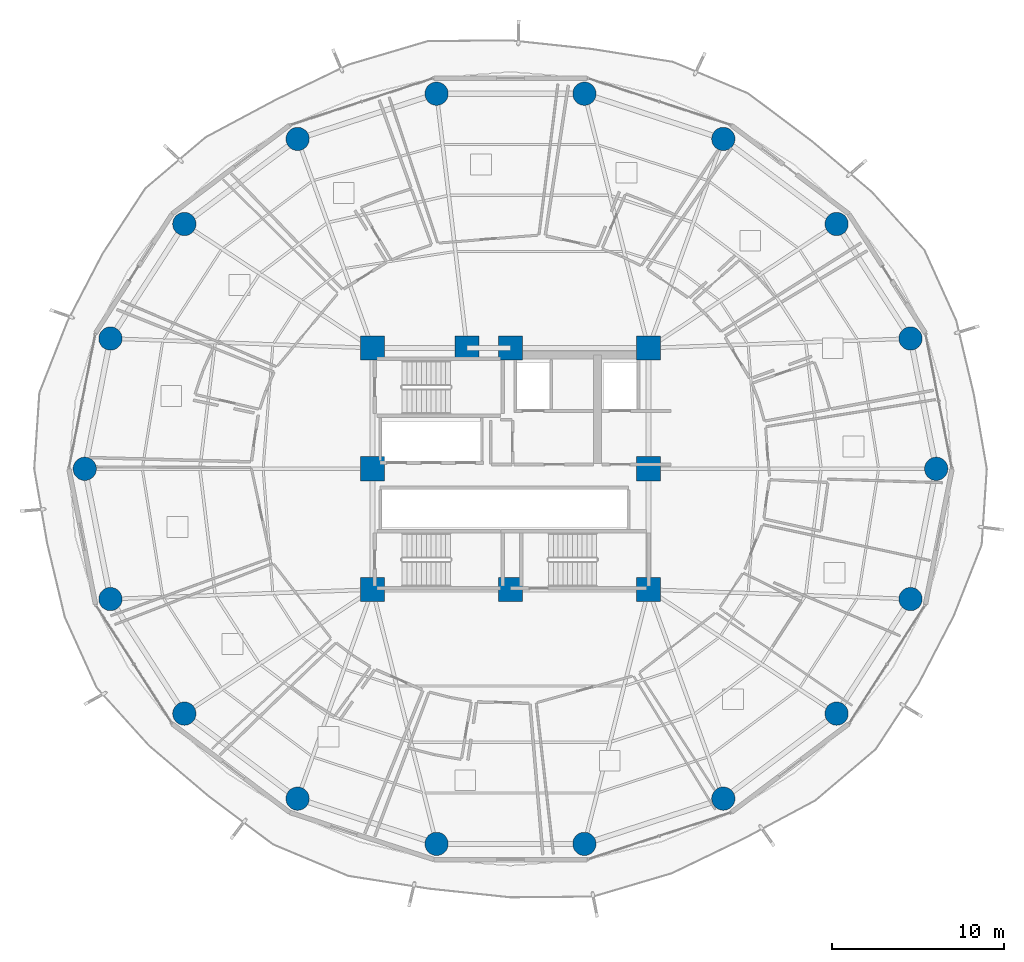
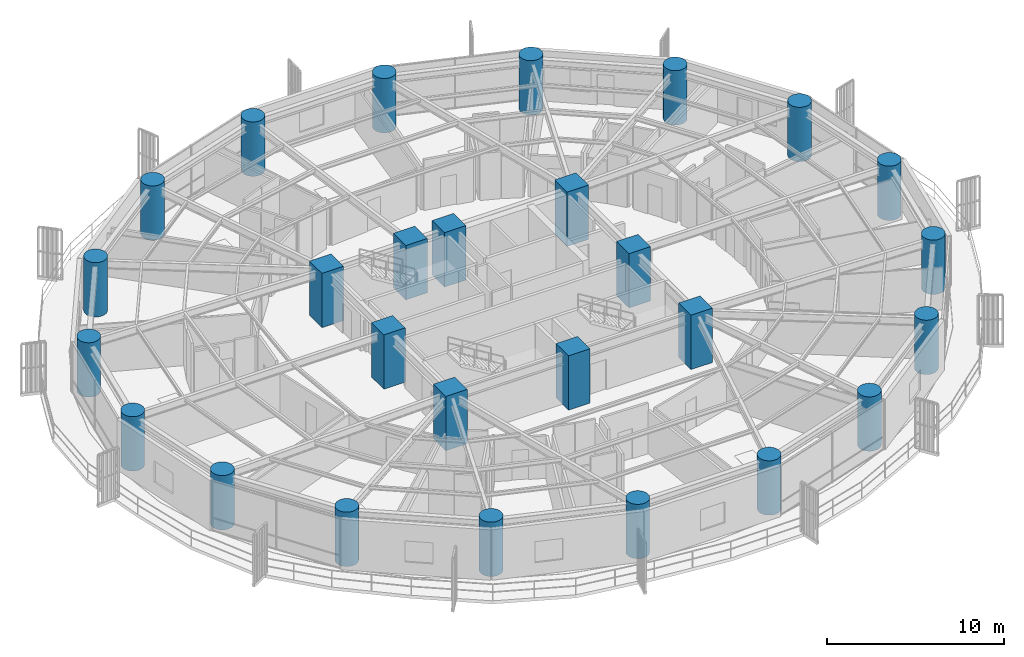
# One storey, part 1 of 33: 27 columns.
"""IFC4 building model written with IfcOpenShell, lengths in metres."""

from ifc_helpers import new_model, si_unit, direction, frame, origin, origin_2d, place, context, subcontext, project, spatial, rectangle, circle, extrude, material, material_profile, profile_set, type_object, element, save


model = new_model("IFC4")

# Units and contexts
model_context = context("Model", 3, precision=1e-05, world=origin(), true_north=direction((0.0, 1.0)))
body_context = subcontext(model_context, "Body", "Model", "MODEL_VIEW")
ifc_project = project(units=[si_unit("LENGTHUNIT", "METRE"), si_unit("AREAUNIT", "SQUARE_METRE"), si_unit("VOLUMEUNIT", "CUBIC_METRE"), si_unit("PLANEANGLEUNIT", "RADIAN"), si_unit("MASSUNIT", "GRAM", prefix="KILO")], contexts=[model_context])

# Site, building, storey
site_placement = place(None, origin())
site = spatial("IfcSite", under=ifc_project, at=site_placement, CompositionType="ELEMENT")
building_placement = place(site_placement, origin())
building = spatial("IfcBuilding", under=site, at=building_placement, Name="Kelanora Arch Commons", CompositionType="ELEMENT")
storey_placement = place(building_placement, frame((0.0, 0.0, 80.10009765625)))
storey = spatial("IfcBuildingStorey", under=building, at=storey_placement, Name="L20", CompositionType="ELEMENT", Elevation=80.10009765625)

# Columns
ifc_material = material(Name="Concrete C60/75", Category="concrete")
ifc_material_profile_1 = material_profile(ifc_material, circle(Radius=0.675048828125, at=origin_2d()), Name="RCC1350")
ifc_profile_set_1 = profile_set([ifc_material_profile_1], Name="Concrete C60/75")
column_type_1 = type_object("IfcColumnType", Name="COL-PERIM-Z2", PredefinedType="COLUMN", material=ifc_profile_set_1)
for number, where, z_axis, x_axis, name in (
    (1, (98.679931640625, 58.0, 0.0), (0.0, 0.0, 1.0), (1.0, 0.0, 0.0), "Perimeter Ring Column CP-00 L20"),
    (2, (97.191650390625, 65.5517578125, 0.0), (0.0, 0.0, 1.0), (1.0, 0.0, 0.0), "Perimeter Ring Column CP-02 L20"),
    (3, (92.906005859375, 72.19287109375, 0.0), (0.0, 0.0, 1.0), (1.0, 0.0, 0.0), "Perimeter Ring Column CP-04 L20"),
    (4, (86.340087890625, 77.121826171875, 0.0), (0.0, 0.0, 1.0), (1.0, 0.0, 0.0), "Perimeter Ring Column CP-06 L20"),
    (5, (78.28564453125, 79.74462890625, 0.0), (0.0, 0.0, 1.0), (1.0, 0.0, 0.0), "Perimeter Ring Column CP-08 L20"),
    (6, (69.71435546875, 79.74462890625, 0.0), (0.0, 0.0, 1.0), (1.0, 0.0, 0.0), "Perimeter Ring Column CP-10 L20"),
    (7, (61.659912109375, 77.121826171875, 0.0), (0.0, 0.0, 1.0), (1.0, 0.0, 0.0), "Perimeter Ring Column CP-12 L20"),
    (8, (55.093994140625, 72.19287109375, 0.0), (0.0, 0.0, 1.0), (1.0, 0.0, 0.0), "Perimeter Ring Column CP-14 L20"),
    (9, (50.808349609375, 65.5517578125, 0.0), (0.0, 0.0, 1.0), (1.0, 0.0, 0.0), "Perimeter Ring Column CP-16 L20"),
    (10, (49.320068359375, 58.0, 0.0), (0.0, 0.0, 1.0), (1.0, 0.0, 0.0), "Perimeter Ring Column CP-18 L20"),
    (11, (50.808349609375, 50.4482421875, 0.0), (0.0, 0.0, 1.0), (1.0, 0.0, 0.0), "Perimeter Ring Column CP-20 L20"),
    (12, (55.093994140625, 43.80712890625, 0.0), (0.0, 0.0, 1.0), (1.0, 0.0, 0.0), "Perimeter Ring Column CP-22 L20"),
    (13, (61.659912109375, 38.878173828125, 0.0), (0.0, 0.0, 1.0), (1.0, 0.0, 0.0), "Perimeter Ring Column CP-24 L20"),
    (14, (69.71435546875, 36.25537109375, 0.0), (0.0, 0.0, 1.0), (1.0, 0.0, 0.0), "Perimeter Ring Column CP-26 L20"),
    (15, (78.28564453125, 36.25537109375, 0.0), (0.0, 0.0, 1.0), (1.0, 0.0, 0.0), "Perimeter Ring Column CP-28 L20"),
    (16, (86.340087890625, 38.878173828125, 0.0), (0.0, 0.0, 1.0), (1.0, 0.0, 0.0), "Perimeter Ring Column CP-30 L20"),
    (17, (92.906005859375, 43.80712890625, 0.0), (0.0, 0.0, 1.0), (1.0, 0.0, 0.0), "Perimeter Ring Column CP-32 L20"),
    (18, (97.191650390625, 50.4482421875, 0.0), (0.0, 0.0, 1.0), (1.0, 0.0, 0.0), "Perimeter Ring Column CP-34 L20"),
):
    element("IfcColumn", number, at=place(storey_placement, frame(where, z_axis=z_axis, x_axis=x_axis)), inside=storey, type_object=column_type_1, Name=name, PredefinedType="COLUMN", context=body_context, shape_type="SweptSolid", body=[
        extrude(circle(Radius=0.675048828125, at=origin_2d()), origin(), (0.0, 0.0, 1.0), 3.75),
    ])
ifc_material_profile_2 = material_profile(ifc_material, rectangle(XDim=1.39990234375, YDim=1.39990234375, at=origin_2d()), Name="RC1400x1400")
ifc_profile_set_2 = profile_set([ifc_material_profile_2], Name="Concrete C60/75")
column_type_2 = type_object("IfcColumnType", Name="COL-PIL-LOW", PredefinedType="PILASTER", material=ifc_profile_set_2)
for number, where, z_axis, x_axis, name in (
    (19, (66.0, 51.0, 0.0), (0.0, 0.0, 1.0), (1.0, 0.0, 0.0), "Core Pilaster Column CP1 L20"),
    (20, (74.0, 51.0, 0.0), (0.0, 0.0, 1.0), (1.0, 0.0, 0.0), "Core Pilaster Column CP2 L20"),
    (21, (82.0, 51.0, 0.0), (0.0, 0.0, 1.0), (1.0, 0.0, 0.0), "Core Pilaster Column CP3 L20"),
    (22, (82.0, 58.0, 0.0), (0.0, 0.0, 1.0), (1.0, 0.0, 0.0), "Core Pilaster Column CP4 L20"),
    (23, (82.0, 65.0, 0.0), (0.0, 0.0, 1.0), (1.0, 0.0, 0.0), "Core Pilaster Column CP5 L20"),
    (24, (74.0, 65.0, 0.0), (0.0, 0.0, 1.0), (1.0, 0.0, 0.0), "Core Pilaster Column CP6 L20"),
    (25, (71.47998046875, 65.0, 0.0), (0.0, 0.0, 1.0), (1.0, 0.0, 0.0), "Core Pilaster Column CP9 L20"),
    (26, (66.0, 65.0, 0.0), (0.0, 0.0, 1.0), (1.0, 0.0, 0.0), "Core Pilaster Column CP7 L20"),
    (27, (66.0, 58.0, 0.0), (0.0, 0.0, 1.0), (1.0, 0.0, 0.0), "Core Pilaster Column CP8 L20"),
):
    element("IfcColumn", number, at=place(storey_placement, frame(where, z_axis=z_axis, x_axis=x_axis)), inside=storey, type_object=column_type_2, Name=name, PredefinedType="PILASTER", context=body_context, shape_type="SweptSolid", body=[
        extrude(rectangle(XDim=1.39990234375, YDim=1.39990234375, at=origin_2d()), origin(), (0.0, 0.0, 1.0), 3.75),
    ])

save(model, "model.ifc")
